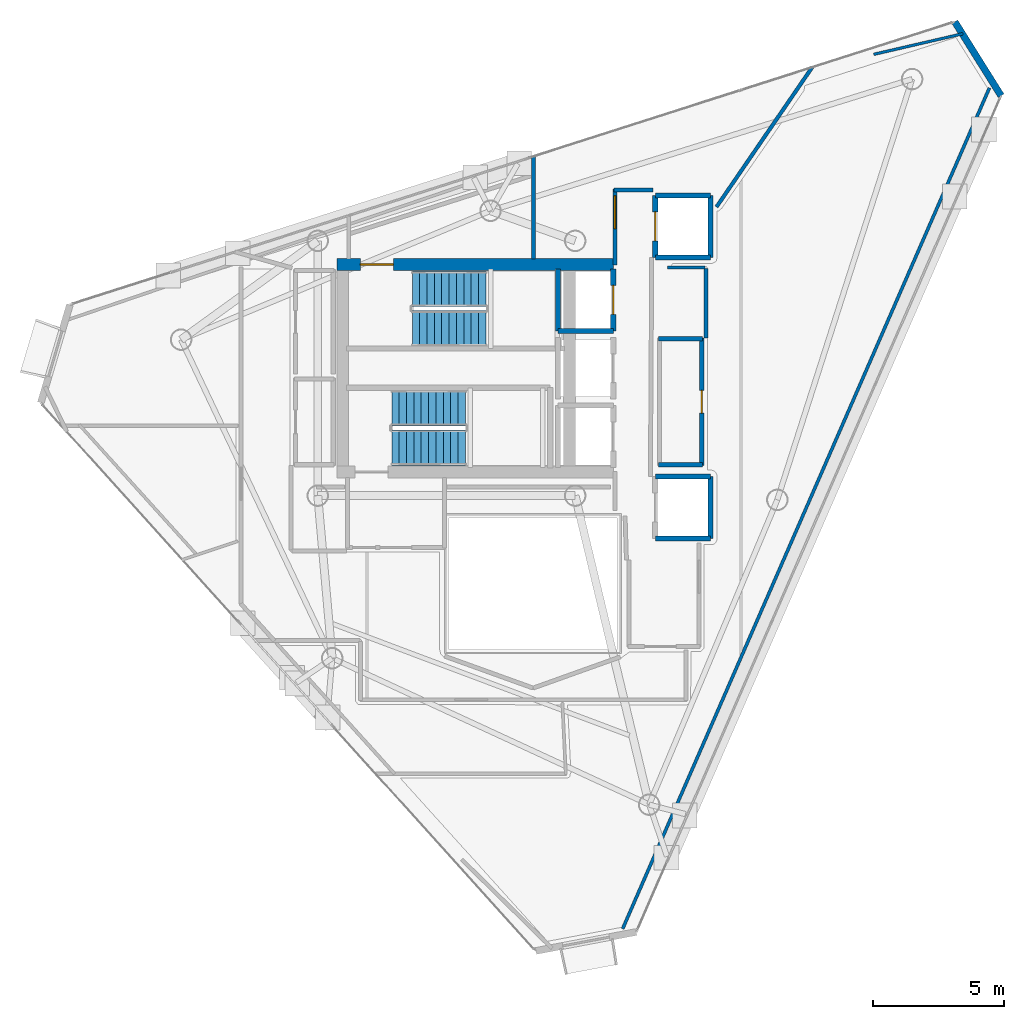
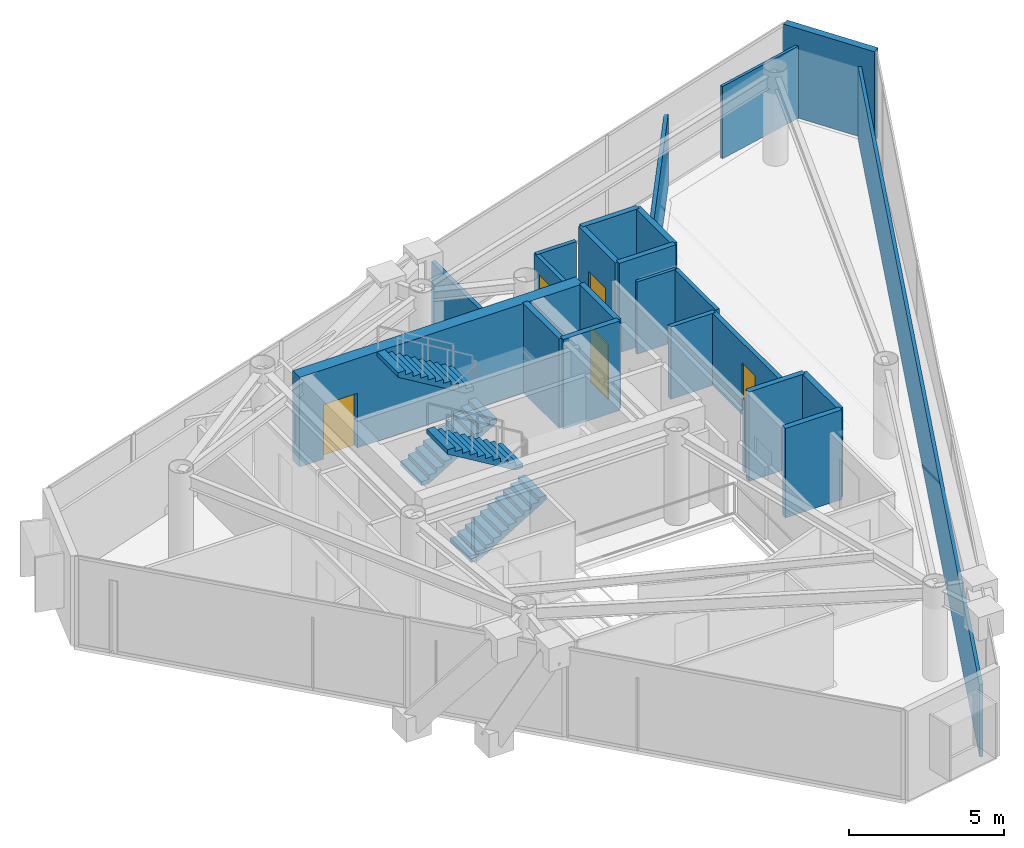
# One storey, part 17 of 19: 23 walls, 5 doors, 4 stair flights, 5 openings, 2 elements without a shape of their own.
"""IFC4 building model written with IfcOpenShell, lengths in metres."""

from ifc_helpers import new_model, si_unit, direction, frame, frame_2d, origin, place, context, subcontext, project, spatial, polyline, rectangle, outline, extrude, material, layer, layer_set, type_object, element, fill, aggregate, save


model = new_model("IFC4")

# Units and contexts
model_context = context("Model", 3, precision=1e-05, world=origin(), true_north=direction((0.0, 1.0)))
body_context = subcontext(model_context, "Body", "Model", "MODEL_VIEW")
ifc_project = project(units=[si_unit("LENGTHUNIT", "METRE"), si_unit("AREAUNIT", "SQUARE_METRE"), si_unit("VOLUMEUNIT", "CUBIC_METRE"), si_unit("PLANEANGLEUNIT", "RADIAN"), si_unit("MASSUNIT", "GRAM", prefix="KILO")], contexts=[model_context])

# Site, building, storey
site_placement = place(None, origin())
site = spatial("IfcSite", under=ifc_project, at=site_placement, CompositionType="ELEMENT")
building_placement = place(site_placement, origin())
building = spatial("IfcBuilding", under=site, at=building_placement, Name="Qianvela Tower", CompositionType="ELEMENT")
storey_placement = place(building_placement, frame((0.0, 0.0, 329.60009765625)))
storey = spatial("IfcBuildingStorey", under=building, at=storey_placement, Name="L85", CompositionType="ELEMENT", Elevation=329.60009765625)

# Wall
ifc_material_1 = material(Name="Terracotta Cladding on Concrete C40", Category="masonry")
ifc_layer_1 = layer(ifc_material_1, 0.260009765625)
ifc_layer_set_1 = layer_set([ifc_layer_1], Name="Terracotta Cladding on Concrete C40")
wall_type_1 = type_object("IfcWallType", Name="TERRACOTTA-WALL-260", PredefinedType="SOLIDWALL", material=ifc_layer_set_1)
wall_1_placement = place(storey_placement, frame((54.614013671875, 39.07470703125, 0.0), z_axis=(0.0, 0.0, 1.0), x_axis=(-0.530745816678, 0.847531048445, 0.0)))
element("IfcWall", 1, at=wall_1_placement, inside=storey, type_object=wall_type_1, Name="L85 Terracotta Chamfer Facet Wall 1", PredefinedType="SOLIDWALL", context=body_context, shape_type="SweptSolid", body=[
    extrude(rectangle(XDim=3.3193359375, YDim=0.260009765625, at=frame_2d((1.65966796875, 0.0))), origin(), (0.0, 0.0, 1.0), 3.52001953125),
])

# Wall, opening, door
ifc_material_2 = material(Name="Concrete C50", Category="concrete")
ifc_layer_2 = layer(ifc_material_2, 0.449951171875)
ifc_layer_set_2 = layer_set([ifc_layer_2], Name="Concrete C50")
wall_type_2 = type_object("IfcWallType", Name="WT-CORE-450", PredefinedType="SHEAR", material=ifc_layer_set_2)
wall_2_placement = place(storey_placement, frame((29.330078125, 32.64501953125, 0.0), z_axis=(0.0, 0.0, 1.0), x_axis=(1.0, 0.0, 0.0)))
wall_2 = element("IfcWall", 2, at=wall_2_placement, inside=storey, type_object=wall_type_2, Name="L85 North Core Shear Wall", PredefinedType="SHEAR", context=body_context, shape_type="SweptSolid", body=[
    extrude(rectangle(XDim=10.52001953125, YDim=0.449951171875, at=frame_2d((5.260009765625, 0.0))), origin(), (0.0, 0.0, 1.0), 3.52001953125),
])
opening_1_placement = place(wall_2_placement, frame((0.89501953125, 0.0, 0.0)))
opening_1 = element("IfcOpeningElement", 3, at=opening_1_placement, cuts=wall_2, Name="Opening D-ST1", PredefinedType="OPENING", context=body_context, shape_type="SweptSolid", body=[
    extrude(rectangle(XDim=1.25, YDim=2.14990234375, at=frame_2d((0.625, 1.074951171875))), frame((0.0, 0.23486328125, 0.0), z_axis=(0.0, -1.0, 0.0), x_axis=(1.0, 0.0, 0.0)), (0.0, 0.0, 1.0), 0.469970703125),
])
ifc_material_3 = material(Name="Galvanised Fire Steel Q355B", Category="steel")
door_type_1 = type_object("IfcDoorType", Name="DT-STAIR-FD90", OperationType="NOTDEFINED", PredefinedType="DOOR", material=ifc_material_3)
door_1_placement = place(opening_1_placement, origin())
door_1 = element("IfcDoor", 4, at=door_1_placement, inside=storey, type_object=door_type_1, Name="L85 Stair ST-1 Exit Door", OperationType="SINGLE_SWING_RIGHT", OverallHeight=2.14990234375, OverallWidth=1.25, PredefinedType="DOOR", context=body_context, shape_type="SweptSolid", body=[
    extrude(rectangle(XDim=1.25, YDim=2.14990234375, at=frame_2d((0.625, 1.074951171875))), frame((0.0, 0.02490234375, 0.0), z_axis=(0.0, -1.0, 0.0), x_axis=(1.0, 0.0, 0.0)), (0.0, 0.0, 1.0), 0.050048828125),
])
fill(opening_1, door_1)

# Wall
ifc_material_4 = material(Name="Fire-Rated Acoustic Gypsum Board")
ifc_layer_3 = layer(ifc_material_4, 0.14990234375)
ifc_layer_set_3 = layer_set([ifc_layer_3], Name="Fire-Rated Acoustic Gypsum Board")
wall_type_3 = type_object("IfcWallType", Name="WT-CORR-150", PredefinedType="PARTITIONING", material=ifc_layer_set_3)
wall_3_placement = place(storey_placement, frame((36.819091796875, 36.78271484375, 0.0), z_axis=(0.0, 0.0, 1.0), x_axis=(0.0, -1.0, 0.0)))
element("IfcWall", 5, at=wall_3_placement, inside=storey, type_object=wall_type_3, Name="L85 Partition 2", PredefinedType="PARTITIONING", context=body_context, shape_type="SweptSolid", body=[
    extrude(rectangle(XDim=3.9248046875, YDim=0.14990234375, at=frame_2d((1.96240234375, 0.0))), origin(), (0.0, 0.0, 1.0), 2.83984375),
])

# Wall, opening, door
wall_4_placement = place(storey_placement, frame((39.910888671875, 32.639892578125, 0.0), z_axis=(0.0, 0.0, 1.0), x_axis=(0.0, 1.0, 0.0)))
wall_4 = element("IfcWall", 6, at=wall_4_placement, inside=storey, type_object=wall_type_3, Name="L85 Partition 12", PredefinedType="PARTITIONING", context=body_context, shape_type="SweptSolid", body=[
    extrude(rectangle(XDim=2.880126953125, YDim=0.14990234375, at=frame_2d((1.43994140625, 0.0))), origin(), (0.0, 0.0, 1.0), 2.83984375),
])
opening_2_placement = place(wall_4_placement, frame((1.375, 0.0, 0.0)))
opening_2 = element("IfcOpeningElement", 7, at=opening_2_placement, cuts=wall_4, Name="Opening D-LG1", PredefinedType="OPENING", context=body_context, shape_type="SweptSolid", body=[
    extrude(rectangle(XDim=1.25, YDim=2.199951171875, at=frame_2d((0.625, 1.10009765625))), frame((0.0, 0.0849609375, 0.0), z_axis=(0.0, -1.0, 0.0), x_axis=(1.0, 0.0, 0.0)), (0.0, 0.0, 1.0), 0.169921875),
])
ifc_material_5 = material(Name="Anodised Aluminium Acoustic Glass Door", Category="aluminium")
door_type_2 = type_object("IfcDoorType", Name="DT-LOUNGE-1250", OperationType="NOTDEFINED", PredefinedType="DOOR", material=ifc_material_5)
door_2_placement = place(opening_2_placement, origin())
door_2 = element("IfcDoor", 8, at=door_2_placement, inside=storey, type_object=door_type_2, Name="L85 Door Panoramic Study Lounge L85-03 to L85 Lift Lobby", OperationType="SINGLE_SWING_RIGHT", OverallHeight=2.199951171875, OverallWidth=1.25, PredefinedType="DOOR", context=body_context, shape_type="SweptSolid", body=[
    extrude(rectangle(XDim=1.25, YDim=2.199951171875, at=frame_2d((0.625, 1.10009765625))), frame((0.0, 0.02490234375, 0.0), z_axis=(0.0, -1.0, 0.0), x_axis=(1.0, 0.0, 0.0)), (0.0, 0.0, 1.0), 0.050048828125),
])
fill(opening_2, door_2)

# Walls
wall_5_placement = place(storey_placement, frame((39.8798828125, 35.489013671875, 0.0), z_axis=(0.0, 0.0, 1.0), x_axis=(1.0, 0.0, 0.0)))
element("IfcWall", 9, at=wall_5_placement, inside=storey, type_object=wall_type_3, Name="L85 Partition 13", PredefinedType="PARTITIONING", context=body_context, shape_type="SweptSolid", body=[
    extrude(rectangle(XDim=1.480224609375, YDim=0.14990234375, at=frame_2d((0.740234375, 0.0))), origin(), (0.0, 0.0, 1.0), 2.83984375),
])
ifc_material_6 = material(Name="Lightweight Gypsum Room Partition")
ifc_layer_4 = layer(ifc_material_6, 0.10498046875)
ifc_layer_set_4 = layer_set([ifc_layer_4], Name="Lightweight Gypsum Room Partition")
wall_type_4 = type_object("IfcWallType", Name="WT-PART-105", PredefinedType="PARTITIONING", material=ifc_layer_set_4)
wall_6_placement = place(storey_placement, frame((49.765380859375, 40.6494140625, 0.0), z_axis=(0.0, 0.0, 1.0), x_axis=(0.974316726617, 0.225181962496, 0.0)))
element("IfcWall", 10, at=wall_6_placement, inside=storey, type_object=wall_type_4, Name="L85 Partition 84 seg 1", PredefinedType="PARTITIONING", context=body_context, shape_type="SweptSolid", body=[
    extrude(rectangle(XDim=3.4833984375, YDim=0.10498046875, at=frame_2d((1.74169921875, 0.0))), origin(), (0.0, 0.0, 1.0), 2.83984375),
])
ifc_material_7 = material(Name="Insulated Gypsum Stud Partition")
ifc_layer_5 = layer(ifc_material_7, 0.1201171875)
ifc_layer_set_5 = layer_set([ifc_layer_5], Name="Insulated Gypsum Stud Partition")
wall_type_5 = type_object("IfcWallType", Name="WT-PART-120", PredefinedType="PARTITIONING", material=ifc_layer_set_5)
wall_7_placement = place(storey_placement, frame((54.17041015625, 39.373291015625, 0.0), z_axis=(0.0, 0.0, 1.0), x_axis=(-0.399821133612, -0.916593181907, 0.0)))
element("IfcWall", 11, at=wall_7_placement, inside=storey, type_object=wall_type_5, Name="L85 Partition 86", PredefinedType="PARTITIONING", context=body_context, shape_type="SweptSolid", body=[
    extrude(rectangle(XDim=34.924560546875, YDim=0.1201171875, at=frame_2d((17.46240234375, 0.0))), origin(), (0.0, 0.0, 1.0), 2.83984375),
])
wall_8_placement = place(storey_placement, frame((43.35009765625, 32.531005859375, 0.0), z_axis=(0.0, 0.0, 1.0), x_axis=(-1.0, 0.0, 0.0)))
element("IfcWall", 12, at=wall_8_placement, inside=storey, type_object=wall_type_5, Name="L85 Partition 98", PredefinedType="PARTITIONING", context=body_context, shape_type="SweptSolid", body=[
    extrude(rectangle(XDim=1.439453125, YDim=0.1201171875, at=frame_2d((0.7197265625, 0.0))), origin(), (0.0, 0.0, 1.0), 2.83984375),
])
ifc_material_8 = material(Name="Sanitary Service Chase Partition")
ifc_layer_6 = layer(ifc_material_8, 0.1650390625)
ifc_layer_set_6 = layer_set([ifc_layer_6], Name="Sanitary Service Chase Partition")
wall_type_6 = type_object("IfcWallType", Name="WT-PLUMB-165", PredefinedType="PLUMBINGWALL", material=ifc_layer_set_6)
for number, where, z_axis, x_axis, name in (
    (13, (43.25, 25.031005859375, 0.0), (0.0, 0.0, 1.0), (-1.0, 0.0, 0.0), "L85 Partition 19"),
    (14, (41.580078125, 29.819091796875, 0.0), (0.0, 0.0, 1.0), (1.0, 0.0, 0.0), "L85 Partition 21"),
):
    element("IfcWall", number, at=place(storey_placement, frame(where, z_axis=z_axis, x_axis=x_axis)), inside=storey, type_object=wall_type_6, Name=name, PredefinedType="PLUMBINGWALL", context=body_context, shape_type="SweptSolid", body=[
        extrude(rectangle(XDim=1.669921875, YDim=0.1650390625, at=frame_2d((0.8349609375, 0.0))), origin(), (0.0, 0.0, 1.0), 2.83984375),
    ])

# Wall, opening, door
wall_9_placement = place(storey_placement, frame((43.218994140625, 29.85009765625, 0.0), z_axis=(0.0, 0.0, 1.0), x_axis=(0.0, -1.0, 0.0)))
wall_9 = element("IfcWall", 15, at=wall_9_placement, inside=storey, type_object=wall_type_6, Name="L85 Partition 22", PredefinedType="PLUMBINGWALL", context=body_context, shape_type="SweptSolid", body=[
    extrude(rectangle(XDim=4.85009765625, YDim=0.1650390625, at=frame_2d((2.425048828125, 0.0))), origin(), (0.0, 0.0, 1.0), 2.83984375),
])
opening_3_placement = place(wall_9_placement, frame((1.9951171875, 0.0, 0.0)))
opening_3 = element("IfcOpeningElement", 16, at=opening_3_placement, cuts=wall_9, Name="Opening D-WC1", PredefinedType="OPENING", context=body_context, shape_type="SweptSolid", body=[
    extrude(rectangle(XDim=0.860107421875, YDim=2.050048828125, at=frame_2d((0.43017578125, 1.02490234375))), frame((0.0, 0.092529296875, 0.0), z_axis=(0.0, -1.0, 0.0), x_axis=(1.0, 0.0, 0.0)), (0.0, 0.0, 1.0), 0.18505859375),
])
ifc_material_9 = material(Name="Moisture-Sealed Acoustic Timber Door", Category="wood")
door_type_3 = type_object("IfcDoorType", Name="DT-WC-860", OperationType="NOTDEFINED", PredefinedType="DOOR", material=ifc_material_9)
door_3_placement = place(opening_3_placement, origin())
door_3 = element("IfcDoor", 17, at=door_3_placement, inside=storey, type_object=door_type_3, Name="L85 Door L85 Accessible WC to Stationery Supply Boutique L85-04", OperationType="SINGLE_SWING_RIGHT", OverallHeight=2.050048828125, OverallWidth=0.860107421875, PredefinedType="DOOR", context=body_context, shape_type="SweptSolid", body=[
    extrude(rectangle(XDim=0.860107421875, YDim=2.050048828125, at=frame_2d((0.43017578125, 1.02490234375))), frame((0.0, 0.02490234375, 0.0), z_axis=(0.0, -1.0, 0.0), x_axis=(1.0, 0.0, 0.0)), (0.0, 0.0, 1.0), 0.050048828125),
])
fill(opening_3, door_3)

# Walls
ifc_material_10 = material(Name="Acoustic Double Gypsum Stud Partition")
ifc_layer_7 = layer(ifc_material_10, 0.139892578125)
ifc_layer_set_7 = layer_set([ifc_layer_7], Name="Acoustic Double Gypsum Stud Partition")
wall_type_7 = type_object("IfcWallType", Name="WT-ROOM-140", PredefinedType="PARTITIONING", material=ifc_layer_set_7)
wall_10_placement = place(storey_placement, frame((47.42919921875, 40.16748046875, 0.0), z_axis=(0.0, 0.0, 1.0), x_axis=(-0.565275724273, -0.824902027848, 0.0)))
element("IfcWall", 18, at=wall_10_placement, inside=storey, type_object=wall_type_7, Name="L85 Partition 70", PredefinedType="PARTITIONING", context=body_context, shape_type="SweptSolid", body=[
    extrude(rectangle(XDim=6.461181640625, YDim=0.139892578125, at=frame_2d((3.23046875, 0.0))), origin(), (0.0, 0.0, 1.0), 2.83984375),
])
wall_11_placement = place(storey_placement, frame((43.381103515625, 29.85009765625, 0.0), z_axis=(0.0, 0.0, 1.0), x_axis=(0.0, 1.0, 0.0)))
element("IfcWall", 19, at=wall_11_placement, inside=storey, type_object=wall_type_7, Name="L85 Partition 97 seg 2", PredefinedType="PARTITIONING", context=body_context, shape_type="SweptSolid", body=[
    extrude(rectangle(XDim=2.64990234375, YDim=0.139892578125, at=frame_2d((1.324951171875, 0.0))), origin(), (0.0, 0.0, 1.0), 2.83984375),
])

# Wall, opening, door
ifc_material_11 = material(Name="Concrete C50", Category="concrete")
ifc_layer_8 = layer(ifc_material_11, 0.199951171875)
ifc_layer_set_8 = layer_set([ifc_layer_8], Name="Concrete C50")
wall_type_8 = type_object("IfcWallType", Name="WT-SHAFT-200", PredefinedType="SOLIDWALL", material=ifc_layer_set_8)
wall_12_placement = place(storey_placement, frame((39.85009765625, 30.1201171875, 0.0), z_axis=(0.0, 0.0, 1.0), x_axis=(0.0, 1.0, 0.0)))
wall_12 = element("IfcWall", 20, at=wall_12_placement, inside=storey, type_object=wall_type_8, Name="L85 Lift FL-1 E Shaft Wall", PredefinedType="SOLIDWALL", context=body_context, shape_type="SweptSolid", body=[
    extrude(rectangle(XDim=2.35986328125, YDim=0.199951171875, at=frame_2d((1.179931640625, 0.0))), origin(), (0.0, 0.0, 1.0), 3.52001953125),
])
opening_4_placement = place(wall_12_placement, frame((0.6298828125, 0.0, 0.0)))
opening_4 = element("IfcOpeningElement", 21, at=opening_4_placement, cuts=wall_12, Name="Opening LD-01", PredefinedType="OPENING", context=body_context, shape_type="SweptSolid", body=[
    extrude(rectangle(XDim=1.10009765625, YDim=2.14990234375, at=frame_2d((0.550048828125, 1.074951171875))), frame((0.0, 0.10986328125, 0.0), z_axis=(0.0, -1.0, 0.0), x_axis=(1.0, 0.0, 0.0)), (0.0, 0.0, 1.0), 0.219970703125),
])
ifc_material_12 = material(Name="Brushed Stainless Steel Lift Landing Door", Category="steel")
door_type_4 = type_object("IfcDoorType", Name="DT-LIFT-SLIDE-1100", OperationType="SLIDING_TO_LEFT", PredefinedType="DOOR", material=ifc_material_12)
door_4_placement = place(opening_4_placement, origin())
door_4 = element("IfcDoor", 22, at=door_4_placement, inside=storey, type_object=door_type_4, Name="L85 Lift FL-1 Sliding Landing Door", OperationType="SLIDING_TO_LEFT", OverallHeight=2.14990234375, OverallWidth=1.10009765625, PredefinedType="DOOR", context=body_context, shape_type="SweptSolid", body=[
    extrude(rectangle(XDim=1.10009765625, YDim=2.14990234375, at=frame_2d((0.550048828125, 1.074951171875))), frame((0.0, 0.02490234375, 0.0), z_axis=(0.0, -1.0, 0.0), x_axis=(1.0, 0.0, 0.0)), (0.0, 0.0, 1.0), 0.050048828125),
])
fill(opening_4, door_4)

# Walls
wall_13_placement = place(storey_placement, frame((37.75, 30.1201171875, 0.0), z_axis=(0.0, 0.0, 1.0), x_axis=(0.0, 1.0, 0.0)))
element("IfcWall", 23, at=wall_13_placement, inside=storey, type_object=wall_type_8, Name="L85 Lift FL-1 W Shaft Wall", PredefinedType="SOLIDWALL", context=body_context, shape_type="SweptSolid", body=[
    extrude(rectangle(XDim=2.35986328125, YDim=0.199951171875, at=frame_2d((1.179931640625, 0.0))), origin(), (0.0, 0.0, 1.0), 3.52001953125),
])
wall_14_placement = place(storey_placement, frame((37.75, 30.1201171875, 0.0), z_axis=(0.0, 0.0, 1.0), x_axis=(1.0, 0.0, 0.0)))
element("IfcWall", 24, at=wall_14_placement, inside=storey, type_object=wall_type_8, Name="L85 Lift FL-1 S Shaft Wall", PredefinedType="SOLIDWALL", context=body_context, shape_type="SweptSolid", body=[
    extrude(rectangle(XDim=2.10009765625, YDim=0.199951171875, at=frame_2d((1.050048828125, 0.0))), origin(), (0.0, 0.0, 1.0), 3.52001953125),
])
wall_15_placement = place(storey_placement, frame((43.550048828125, 22.219970703125, 0.0), z_axis=(0.0, 0.0, 1.0), x_axis=(0.0, 1.0, 0.0)))
element("IfcWall", 25, at=wall_15_placement, inside=storey, type_object=wall_type_8, Name="L85 Lift PL-H2 E Shaft Wall", PredefinedType="SOLIDWALL", context=body_context, shape_type="SweptSolid", body=[
    extrude(rectangle(XDim=2.360107421875, YDim=0.199951171875, at=frame_2d((1.18017578125, 0.0))), origin(), (0.0, 0.0, 1.0), 3.52001953125),
])
for number, where, z_axis, x_axis, name in (
    (26, (41.449951171875, 24.580078125, 0.0), (0.0, 0.0, 1.0), (1.0, 0.0, 0.0), "L85 Lift PL-H2 N Shaft Wall"),
    (27, (41.449951171875, 22.219970703125, 0.0), (0.0, 0.0, 1.0), (1.0, 0.0, 0.0), "L85 Lift PL-H2 S Shaft Wall"),
):
    element("IfcWall", number, at=place(storey_placement, frame(where, z_axis=z_axis, x_axis=x_axis)), inside=storey, type_object=wall_type_8, Name=name, PredefinedType="SOLIDWALL", context=body_context, shape_type="SweptSolid", body=[
        extrude(rectangle(XDim=2.10009765625, YDim=0.199951171875, at=frame_2d((1.050048828125, 0.0))), origin(), (0.0, 0.0, 1.0), 3.52001953125),
    ])
wall_16_placement = place(storey_placement, frame((43.550048828125, 32.919921875, 0.0), z_axis=(0.0, 0.0, 1.0), x_axis=(0.0, 1.0, 0.0)))
element("IfcWall", 28, at=wall_16_placement, inside=storey, type_object=wall_type_8, Name="L85 Lift PL-H3 E Shaft Wall", PredefinedType="SOLIDWALL", context=body_context, shape_type="SweptSolid", body=[
    extrude(rectangle(XDim=2.360107421875, YDim=0.199951171875, at=frame_2d((1.18017578125, 0.0))), origin(), (0.0, 0.0, 1.0), 3.52001953125),
])

# Wall, opening, door
wall_17_placement = place(storey_placement, frame((41.449951171875, 32.919921875, 0.0), z_axis=(0.0, 0.0, 1.0), x_axis=(0.0, 1.0, 0.0)))
wall_17 = element("IfcWall", 29, at=wall_17_placement, inside=storey, type_object=wall_type_8, Name="L85 Lift PL-H3 W Shaft Wall", PredefinedType="SOLIDWALL", context=body_context, shape_type="SweptSolid", body=[
    extrude(rectangle(XDim=2.360107421875, YDim=0.199951171875, at=frame_2d((1.18017578125, 0.0))), origin(), (0.0, 0.0, 1.0), 3.52001953125),
])
opening_5_placement = place(wall_17_placement, frame((0.6298828125, 0.0, 0.0)))
opening_5 = element("IfcOpeningElement", 30, at=opening_5_placement, cuts=wall_17, Name="Opening LD-01", PredefinedType="OPENING", context=body_context, shape_type="SweptSolid", body=[
    extrude(rectangle(XDim=1.10009765625, YDim=2.14990234375, at=frame_2d((0.550048828125, 1.074951171875))), frame((0.0, 0.10986328125, 0.0), z_axis=(0.0, -1.0, 0.0), x_axis=(1.0, 0.0, 0.0)), (0.0, 0.0, 1.0), 0.219970703125),
])
door_5_placement = place(opening_5_placement, origin())
door_5 = element("IfcDoor", 31, at=door_5_placement, inside=storey, type_object=door_type_4, Name="L85 Lift PL-H3 Sliding Landing Door", OperationType="SLIDING_TO_LEFT", OverallHeight=2.14990234375, OverallWidth=1.10009765625, PredefinedType="DOOR", context=body_context, shape_type="SweptSolid", body=[
    extrude(rectangle(XDim=1.10009765625, YDim=2.14990234375, at=frame_2d((0.550048828125, 1.074951171875))), frame((0.0, 0.02490234375, 0.0), z_axis=(0.0, -1.0, 0.0), x_axis=(1.0, 0.0, 0.0)), (0.0, 0.0, 1.0), 0.050048828125),
])
fill(opening_5, door_5)

# Walls
for number, where, z_axis, x_axis, name in (
    (32, (41.449951171875, 35.280029296875, 0.0), (0.0, 0.0, 1.0), (1.0, 0.0, 0.0), "L85 Lift PL-H3 N Shaft Wall"),
    (33, (41.449951171875, 32.919921875, 0.0), (0.0, 0.0, 1.0), (1.0, 0.0, 0.0), "L85 Lift PL-H3 S Shaft Wall"),
):
    element("IfcWall", number, at=place(storey_placement, frame(where, z_axis=z_axis, x_axis=x_axis)), inside=storey, type_object=wall_type_8, Name=name, PredefinedType="SOLIDWALL", context=body_context, shape_type="SweptSolid", body=[
        extrude(rectangle(XDim=2.10009765625, YDim=0.199951171875, at=frame_2d((1.050048828125, 0.0))), origin(), (0.0, 0.0, 1.0), 3.52001953125),
    ])

# Stair, stair flights
ifc_material_13 = material(Name="Concrete C40", Category="concrete")
stair_type = type_object("IfcStairType", Name="ST-DOGLEG-1350-R168-N22", PredefinedType="HALF_TURN_STAIR", material=ifc_material_13)
stair_1_placement = place(storey_placement, origin())
stair_1 = element("IfcStair", 34, at=stair_1_placement, inside=storey, type_object=stair_type, Name="L85 Smoke-Proof Core Stair ST-1", PredefinedType="HALF_TURN_STAIR")
ifc_material_14 = material(Name="Concrete C40", Category="concrete")
stair_flight_type = type_object("IfcStairFlightType", Name="STF-STRAIGHT-R168-P11", PredefinedType="STRAIGHT", material=ifc_material_14)
stair_flight_1_placement = place(storey_placement, frame((32.199951171875, 30.215087890625, 0.0), z_axis=(0.0, 0.0, 1.0), x_axis=(1.0, 0.0, 0.0)))
stair_flight_1 = element("IfcStairFlight", 35, at=stair_flight_1_placement, type_object=stair_flight_type, Name="ST-1 flight 1", NumberOfRisers=11, NumberOfTreads=10, PredefinedType="STRAIGHT", RiserHeight=0.168181818, TreadLength=0.28, context=body_context, shape_type="SweptSolid", body=[
    extrude(outline(polyline([(0.0, 0.0), (0.0, 0.168212890625), (0.280029296875, 0.168212890625), (0.280029296875, 0.33642578125), (0.56005859375, 0.33642578125), (0.56005859375, 0.504638671875), (0.840087890625, 0.504638671875), (0.840087890625, 0.672607421875), (1.1201171875, 0.672607421875), (1.1201171875, 0.8408203125), (1.39990234375, 0.8408203125), (1.39990234375, 1.009033203125), (1.679931640625, 1.009033203125), (1.679931640625, 1.17724609375), (1.9599609375, 1.17724609375), (1.9599609375, 1.345458984375), (2.239990234375, 1.345458984375), (2.239990234375, 1.513671875), (2.52001953125, 1.513671875), (2.52001953125, 1.681884765625), (2.800048828125, 1.681884765625), (2.800048828125, 1.85009765625), (2.800048828125, 1.5068359375), (0.291015625, 0.0), (0.0, 0.0)])), frame((0.0, 0.675048828125, 0.0), z_axis=(0.0, -1.0, 0.0), x_axis=(1.0, 0.0, 0.0)), (0.0, 0.0, 1.0), 1.35009765625),
])
stair_flight_2_placement = place(storey_placement, frame((35.0, 31.72509765625, 1.849853515625), z_axis=(0.0, 0.0, 1.0), x_axis=(-1.0, 0.0, 0.0)))
stair_flight_2 = element("IfcStairFlight", 36, at=stair_flight_2_placement, type_object=stair_flight_type, Name="ST-1 flight 2", NumberOfRisers=11, NumberOfTreads=10, PredefinedType="STRAIGHT", RiserHeight=0.168181818, TreadLength=0.28, context=body_context, shape_type="SweptSolid", body=[
    extrude(outline(polyline([(0.0, 0.0), (0.0, 0.168212890625), (0.280029296875, 0.168212890625), (0.280029296875, 0.33642578125), (0.56005859375, 0.33642578125), (0.56005859375, 0.504638671875), (0.840087890625, 0.504638671875), (0.840087890625, 0.672607421875), (1.1201171875, 0.672607421875), (1.1201171875, 0.8408203125), (1.39990234375, 0.8408203125), (1.39990234375, 1.009033203125), (1.679931640625, 1.009033203125), (1.679931640625, 1.17724609375), (1.9599609375, 1.17724609375), (1.9599609375, 1.345458984375), (2.239990234375, 1.345458984375), (2.239990234375, 1.513671875), (2.52001953125, 1.513671875), (2.52001953125, 1.681884765625), (2.800048828125, 1.681884765625), (2.800048828125, 1.85009765625), (2.800048828125, 1.5068359375), (0.291015625, 0.0), (0.0, 0.0)])), frame((0.0, 0.675048828125, 0.0), z_axis=(0.0, -1.0, 0.0), x_axis=(1.0, 0.0, 0.0)), (0.0, 0.0, 1.0), 1.35009765625),
])
aggregate(stair_1, [stair_flight_1, stair_flight_2])

stair_2_placement = place(storey_placement, origin())
stair_2 = element("IfcStair", 37, at=stair_2_placement, inside=storey, type_object=stair_type, Name="L85 Smoke-Proof Core Stair ST-2", PredefinedType="HALF_TURN_STAIR")
stair_flight_3_placement = place(storey_placement, frame((31.419921875, 25.675048828125, 0.0), z_axis=(0.0, 0.0, 1.0), x_axis=(1.0, 0.0, 0.0)))
stair_flight_3 = element("IfcStairFlight", 38, at=stair_flight_3_placement, type_object=stair_flight_type, Name="ST-2 flight 1", NumberOfRisers=11, NumberOfTreads=10, PredefinedType="STRAIGHT", RiserHeight=0.168181818, TreadLength=0.28, context=body_context, shape_type="SweptSolid", body=[
    extrude(outline(polyline([(0.0, 0.0), (0.0, 0.168212890625), (0.280029296875, 0.168212890625), (0.280029296875, 0.33642578125), (0.56005859375, 0.33642578125), (0.56005859375, 0.504638671875), (0.840087890625, 0.504638671875), (0.840087890625, 0.672607421875), (1.1201171875, 0.672607421875), (1.1201171875, 0.8408203125), (1.39990234375, 0.8408203125), (1.39990234375, 1.009033203125), (1.679931640625, 1.009033203125), (1.679931640625, 1.17724609375), (1.9599609375, 1.17724609375), (1.9599609375, 1.345458984375), (2.239990234375, 1.345458984375), (2.239990234375, 1.513671875), (2.52001953125, 1.513671875), (2.52001953125, 1.681884765625), (2.800048828125, 1.681884765625), (2.800048828125, 1.85009765625), (2.800048828125, 1.5068359375), (0.291015625, 0.0), (0.0, 0.0)])), frame((0.0, 0.675048828125, 0.0), z_axis=(0.0, -1.0, 0.0), x_axis=(1.0, 0.0, 0.0)), (0.0, 0.0, 1.0), 1.35009765625),
])
stair_flight_4_placement = place(storey_placement, frame((34.219970703125, 27.18505859375, 1.849853515625), z_axis=(0.0, 0.0, 1.0), x_axis=(-1.0, 0.0, 0.0)))
stair_flight_4 = element("IfcStairFlight", 39, at=stair_flight_4_placement, type_object=stair_flight_type, Name="ST-2 flight 2", NumberOfRisers=11, NumberOfTreads=10, PredefinedType="STRAIGHT", RiserHeight=0.168181818, TreadLength=0.28, context=body_context, shape_type="SweptSolid", body=[
    extrude(outline(polyline([(0.0, 0.0), (0.0, 0.168212890625), (0.280029296875, 0.168212890625), (0.280029296875, 0.33642578125), (0.56005859375, 0.33642578125), (0.56005859375, 0.504638671875), (0.840087890625, 0.504638671875), (0.840087890625, 0.672607421875), (1.1201171875, 0.672607421875), (1.1201171875, 0.8408203125), (1.39990234375, 0.8408203125), (1.39990234375, 1.009033203125), (1.679931640625, 1.009033203125), (1.679931640625, 1.17724609375), (1.9599609375, 1.17724609375), (1.9599609375, 1.345458984375), (2.239990234375, 1.345458984375), (2.239990234375, 1.513671875), (2.52001953125, 1.513671875), (2.52001953125, 1.681884765625), (2.800048828125, 1.681884765625), (2.800048828125, 1.85009765625), (2.800048828125, 1.5068359375), (0.291015625, 0.0), (0.0, 0.0)])), frame((0.0, 0.675048828125, 0.0), z_axis=(0.0, -1.0, 0.0), x_axis=(1.0, 0.0, 0.0)), (0.0, 0.0, 1.0), 1.35009765625),
])
aggregate(stair_2, [stair_flight_3, stair_flight_4])

save(model, "model.ifc")
